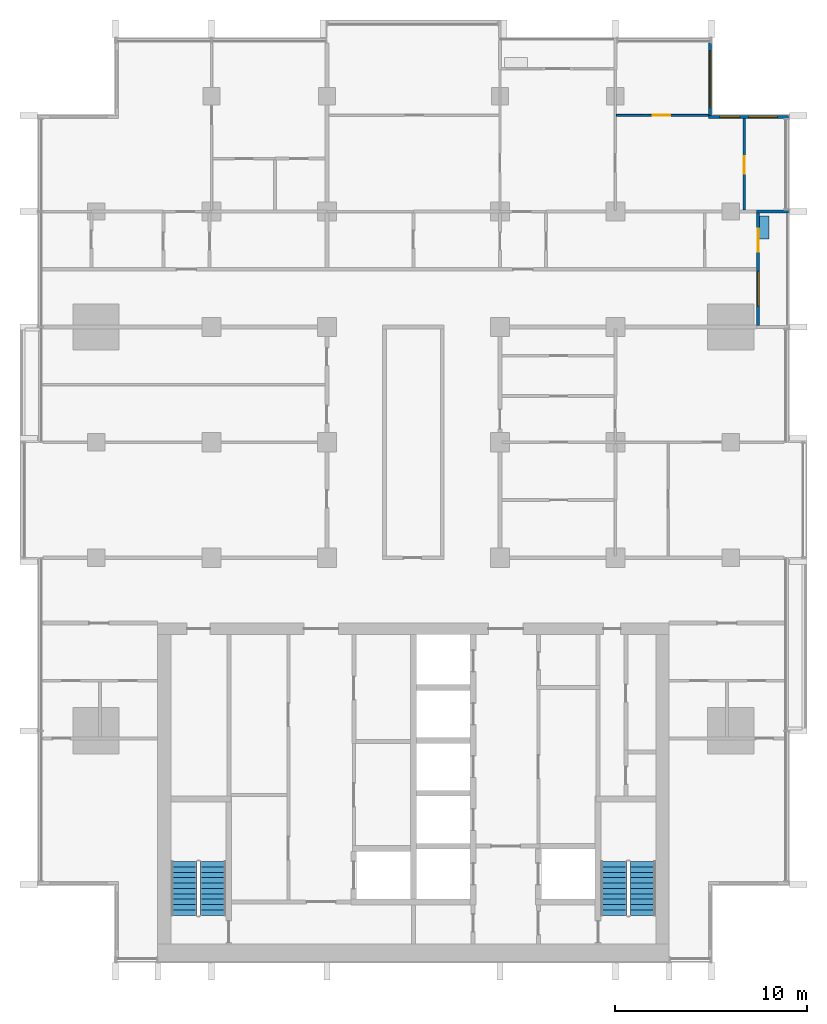
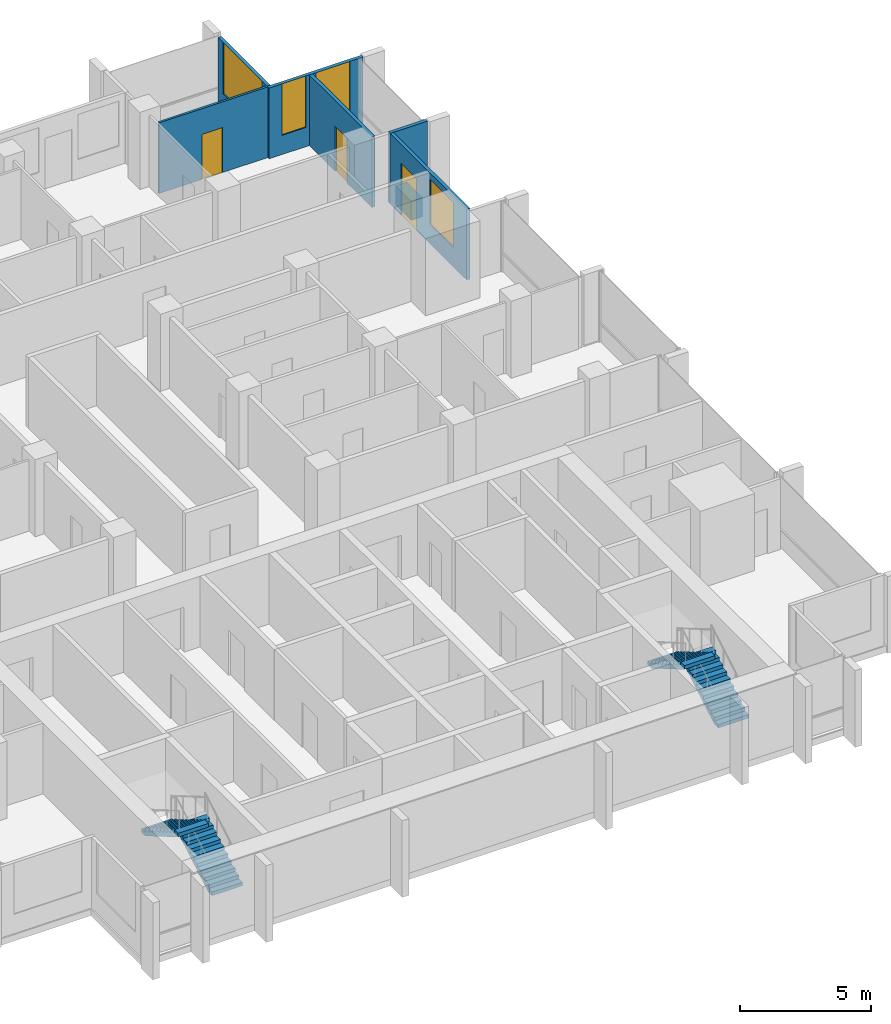
# One storey, part 11 of 16: 7 walls, 4 stair flights, 4 windows, 3 doors, 7 openings, 2 elements without a shape of their own.
"""IFC4 building model written with IfcOpenShell, lengths in metres."""

from ifc_helpers import new_model, si_unit, direction, frame, frame_2d, origin, place, context, subcontext, project, spatial, polyline, rectangle, outline, extrude, material, layer, layer_set, type_object, element, fill, aggregate, save


model = new_model("IFC4")

# Units and contexts
model_context = context("Model", 3, precision=1e-05, world=origin(), true_north=direction((0.0, 1.0)))
body_context = subcontext(model_context, "Body", "Model", "MODEL_VIEW")
ifc_project = project(units=[si_unit("LENGTHUNIT", "METRE"), si_unit("AREAUNIT", "SQUARE_METRE"), si_unit("VOLUMEUNIT", "CUBIC_METRE"), si_unit("PLANEANGLEUNIT", "RADIAN"), si_unit("MASSUNIT", "GRAM", prefix="KILO")], contexts=[model_context])

# Site, building, storey
site_placement = place(None, origin())
site = spatial("IfcSite", under=ifc_project, at=site_placement, CompositionType="ELEMENT")
building_placement = place(site_placement, origin())
building = spatial("IfcBuilding", under=site, at=building_placement, Name="Finial Court Residences", CompositionType="ELEMENT")
storey_placement = place(building_placement, frame((0.0, 0.0, 156.5)))
storey = spatial("IfcBuildingStorey", under=building, at=storey_placement, Name="L38", CompositionType="ELEMENT", Elevation=156.5)

# Wall, opening, door
ifc_material_1 = material(Name="Gypsum board")
ifc_layer_1 = layer(ifc_material_1, 0.012451171875)
ifc_material_2 = material(Name="Mineral wool in light-gauge frame")
ifc_layer_2 = layer(ifc_material_2, 0.074951171875)
ifc_layer_3 = layer(ifc_material_1, 0.012451171875)
ifc_layer_set_1 = layer_set([ifc_layer_1, ifc_layer_2, ifc_layer_3], Name="Gypsum board partition 100")
wall_type_1 = type_object("IfcWallType", Name="Gypsum board partition 100", PredefinedType="PARTITIONING", material=ifc_layer_set_1)
wall_1_placement = place(storey_placement, frame((10.550048828125, 18.5, 0.0), z_axis=(0.0, 0.0, 1.0), x_axis=(1.0, 0.0, 0.0)))
wall_1 = element("IfcWall", 1, at=wall_1_placement, inside=storey, type_object=wall_type_1, Name="Partition L38-031", PredefinedType="PARTITIONING", context=body_context, shape_type="SweptSolid", body=[
    extrude(rectangle(XDim=4.800048828125, YDim=0.10009765625, at=frame_2d((2.39990234375, 0.0))), origin(), (0.0, 0.0, 1.0), 3.300048828125),
])
opening_1_placement = place(wall_1_placement, frame((1.89990234375, 0.0, 0.0)))
opening_1 = element("IfcOpeningElement", 2, at=opening_1_placement, cuts=wall_1, Name="Opening L38-D022", PredefinedType="OPENING", context=body_context, shape_type="SweptSolid", body=[
    extrude(rectangle(XDim=0.89990234375, YDim=2.10009765625, at=frame_2d((0.449951171875, 1.050048828125))), frame((0.0, 0.06005859375, 0.0), z_axis=(0.0, -1.0, 0.0), x_axis=(1.0, 0.0, 0.0)), (0.0, 0.0, 1.0), 0.1201171875),
])
ifc_material_3 = material(Name="Timber door leaf in timber frame", Category="wood")
door_type_1 = type_object("IfcDoorType", Name="Door set 900 x 2100", OperationType="SINGLE_SWING_LEFT", PredefinedType="DOOR", material=ifc_material_3)
door_1_placement = place(opening_1_placement, origin())
door_1 = element("IfcDoor", 3, at=door_1_placement, inside=storey, type_object=door_type_1, Name="Door L38-D022", OperationType="SINGLE_SWING_LEFT", OverallHeight=2.10009765625, OverallWidth=0.89990234375, PredefinedType="DOOR", context=body_context, shape_type="SweptSolid", body=[
    extrude(rectangle(XDim=0.89990234375, YDim=2.10009765625, at=frame_2d((0.449951171875, 1.050048828125))), frame((0.0, 0.02490234375, 0.0), z_axis=(0.0, -1.0, 0.0), x_axis=(1.0, 0.0, 0.0)), (0.0, 0.0, 1.0), 0.050048828125),
])
fill(opening_1, door_1)

ifc_material_4 = material(Name="Moisture-resistant gypsum board")
ifc_layer_4 = layer(ifc_material_4, 0.012451171875)
ifc_layer_5 = layer(ifc_material_2, 0.125)
ifc_layer_6 = layer(ifc_material_4, 0.012451171875)
ifc_layer_set_2 = layer_set([ifc_layer_4, ifc_layer_5, ifc_layer_6], Name="Gypsum board wet-area partition 150")
wall_type_2 = type_object("IfcWallType", Name="Gypsum board wet-area partition 150", PredefinedType="PARTITIONING", material=ifc_layer_set_2)
wall_2_placement = place(storey_placement, frame((17.199951171875, 13.574951171875, 0.0), z_axis=(0.0, 0.0, 1.0), x_axis=(0.0, 1.0, 0.0)))
wall_2 = element("IfcWall", 4, at=wall_2_placement, inside=storey, type_object=wall_type_2, Name="Partition L38-056", PredefinedType="PARTITIONING", context=body_context, shape_type="SweptSolid", body=[
    extrude(rectangle(XDim=4.775146484375, YDim=0.14990234375, at=frame_2d((2.3876953125, 0.0))), origin(), (0.0, 0.0, 1.0), 3.300048828125),
])
opening_2_placement = place(wall_2_placement, frame((1.89990234375, 0.0, 0.0)))
opening_2 = element("IfcOpeningElement", 5, at=opening_2_placement, cuts=wall_2, Name="Opening L38-D039", PredefinedType="OPENING", context=body_context, shape_type="SweptSolid", body=[
    extrude(rectangle(XDim=0.89990234375, YDim=2.10009765625, at=frame_2d((0.449951171875, 1.050048828125))), frame((0.0, 0.0849609375, 0.0), z_axis=(0.0, -1.0, 0.0), x_axis=(1.0, 0.0, 0.0)), (0.0, 0.0, 1.0), 0.169921875),
])
door_2_placement = place(opening_2_placement, origin())
door_2 = element("IfcDoor", 6, at=door_2_placement, inside=storey, type_object=door_type_1, Name="Door L38-D039", OperationType="SINGLE_SWING_LEFT", OverallHeight=2.10009765625, OverallWidth=0.89990234375, PredefinedType="DOOR", context=body_context, shape_type="SweptSolid", body=[
    extrude(rectangle(XDim=0.89990234375, YDim=2.10009765625, at=frame_2d((0.449951171875, 1.050048828125))), frame((0.0, 0.02490234375, 0.0), z_axis=(0.0, -1.0, 0.0), x_axis=(1.0, 0.0, 0.0)), (0.0, 0.0, 1.0), 0.050048828125),
])
fill(opening_2, door_2)

# Wall, opening, window
ifc_material_5 = material(Name="Natural limestone", Category="masonry")
ifc_layer_7 = layer(ifc_material_5, 0.14990234375)
ifc_layer_set_3 = layer_set([ifc_layer_7], Name="Limestone clad wall 150")
wall_type_3 = type_object("IfcWallType", Name="Limestone clad wall 150", PredefinedType="SOLIDWALL", material=ifc_layer_set_3)
wall_3_placement = place(storey_placement, frame((15.425048828125, 22.262451171875, 0.0), z_axis=(0.0, 0.0, 1.0), x_axis=(0.0, -1.0, 0.0)))
wall_3 = element("IfcWall", 7, at=wall_3_placement, inside=storey, type_object=wall_type_3, Name="E-L38-NWE19", PredefinedType="SOLIDWALL", context=body_context, shape_type="SweptSolid", body=[
    extrude(rectangle(XDim=3.762451171875, YDim=0.14990234375, at=frame_2d((1.88134765625, 0.0))), origin(), (0.0, 0.0, 1.0), 3.300048828125),
])
opening_3_placement = place(wall_3_placement, frame((0.401123046875, 0.0, 0.89990234375)))
opening_3 = element("IfcOpeningElement", 8, at=opening_3_placement, cuts=wall_3, Name="Opening WE38-07", PredefinedType="OPENING", context=body_context, shape_type="SweptSolid", body=[
    extrude(rectangle(XDim=2.9599609375, YDim=2.39990234375, at=frame_2d((1.47998046875, 1.199951171875))), frame((0.0, 0.0849609375, 0.0), z_axis=(0.0, -1.0, 0.0), x_axis=(1.0, 0.0, 0.0)), (0.0, 0.0, 1.0), 0.169921875),
])
ifc_material_6 = material(Name="Clear low-e glass", Category="glass")
window_type_1 = type_object("IfcWindowType", Name="Corner window 2960 x 2400", PartitioningType="SINGLE_PANEL", PredefinedType="WINDOW", material=ifc_material_6)
window_1_placement = place(opening_3_placement, origin())
window_1 = element("IfcWindow", 9, at=window_1_placement, inside=storey, type_object=window_type_1, Name="E-L38-NWE19-W1", OverallHeight=2.39990234375, OverallWidth=2.9599609375, PartitioningType="SINGLE_PANEL", PredefinedType="WINDOW", context=body_context, shape_type="SweptSolid", body=[
    extrude(rectangle(XDim=2.9599609375, YDim=2.39990234375, at=frame_2d((1.47998046875, 1.199951171875))), frame((0.0, 0.030029296875, 0.0), z_axis=(0.0, -1.0, 0.0), x_axis=(1.0, 0.0, 0.0)), (0.0, 0.0, 1.0), 0.06005859375),
])
fill(opening_3, window_1)

# Wall, openings, windows
wall_4_placement = place(storey_placement, frame((15.35009765625, 18.425048828125, 0.0), z_axis=(0.0, 0.0, 1.0), x_axis=(1.0, 0.0, 0.0)))
wall_4 = element("IfcWall", 10, at=wall_4_placement, inside=storey, type_object=wall_type_3, Name="E-L38-NWN20", PredefinedType="SOLIDWALL", context=body_context, shape_type="SweptSolid", body=[
    extrude(rectangle(XDim=4.14990234375, YDim=0.14990234375, at=frame_2d((2.074951171875, 0.0))), origin(), (0.0, 0.0, 1.0), 3.300048828125),
])
opening_4_placement = place(wall_4_placement, frame((0.574951171875, 0.0, 0.89990234375)))
opening_4 = element("IfcOpeningElement", 11, at=opening_4_placement, cuts=wall_4, Name="Opening WE38-08", PredefinedType="OPENING", context=body_context, shape_type="SweptSolid", body=[
    extrude(rectangle(XDim=1.050048828125, YDim=2.39990234375, at=frame_2d((0.52490234375, 1.199951171875))), frame((0.0, 0.0849609375, 0.0), z_axis=(0.0, -1.0, 0.0), x_axis=(1.0, 0.0, 0.0)), (0.0, 0.0, 1.0), 0.169921875),
])
opening_5_placement = place(wall_4_placement, frame((2.074951171875, 0.0, 0.89990234375)))
opening_5 = element("IfcOpeningElement", 12, at=opening_5_placement, cuts=wall_4, Name="Opening WE38-09", PredefinedType="OPENING", context=body_context, shape_type="SweptSolid", body=[
    extrude(rectangle(XDim=1.5, YDim=2.39990234375, at=frame_2d((0.75, 1.199951171875))), frame((0.0, 0.0849609375, 0.0), z_axis=(0.0, -1.0, 0.0), x_axis=(1.0, 0.0, 0.0)), (0.0, 0.0, 1.0), 0.169921875),
])
window_type_2 = type_object("IfcWindowType", Name="Corner window 1050 x 2400", PartitioningType="SINGLE_PANEL", PredefinedType="WINDOW", material=ifc_material_6)
window_2_placement = place(opening_4_placement, origin())
window_2 = element("IfcWindow", 13, at=window_2_placement, inside=storey, type_object=window_type_2, Name="E-L38-NWN20-W1", OverallHeight=2.39990234375, OverallWidth=1.050048828125, PartitioningType="SINGLE_PANEL", PredefinedType="WINDOW", context=body_context, shape_type="SweptSolid", body=[
    extrude(rectangle(XDim=1.050048828125, YDim=2.39990234375, at=frame_2d((0.52490234375, 1.199951171875))), frame((0.0, 0.030029296875, 0.0), z_axis=(0.0, -1.0, 0.0), x_axis=(1.0, 0.0, 0.0)), (0.0, 0.0, 1.0), 0.06005859375),
])
fill(opening_4, window_2)
window_type_3 = type_object("IfcWindowType", Name="Corner window 1500 x 2400", PartitioningType="SINGLE_PANEL", PredefinedType="WINDOW", material=ifc_material_6)
window_3_placement = place(opening_5_placement, origin())
window_3 = element("IfcWindow", 14, at=window_3_placement, inside=storey, type_object=window_type_3, Name="E-L38-NWN20-W2", OverallHeight=2.39990234375, OverallWidth=1.5, PartitioningType="SINGLE_PANEL", PredefinedType="WINDOW", context=body_context, shape_type="SweptSolid", body=[
    extrude(rectangle(XDim=1.5, YDim=2.39990234375, at=frame_2d((0.75, 1.199951171875))), frame((0.0, 0.030029296875, 0.0), z_axis=(0.0, -1.0, 0.0), x_axis=(1.0, 0.0, 0.0)), (0.0, 0.0, 1.0), 0.06005859375),
])
fill(opening_5, window_3)

# Wall
wall_5_placement = place(storey_placement, frame((17.85009765625, 13.5, 0.0), z_axis=(0.0, 0.0, 1.0), x_axis=(1.0, 0.0, 0.0)))
element("IfcWall", 15, at=wall_5_placement, inside=storey, type_object=wall_type_3, Name="E-L38-BALE5-P2", PredefinedType="SOLIDWALL", context=body_context, shape_type="SweptSolid", body=[
    extrude(rectangle(XDim=1.64990234375, YDim=0.14990234375, at=frame_2d((0.824951171875, 0.0))), origin(), (0.0, 0.0, 1.0), 3.300048828125),
])

# Wall, openings, door, window
wall_6_placement = place(storey_placement, frame((17.925048828125, 13.425048828125, 0.0), z_axis=(0.0, 0.0, 1.0), x_axis=(0.0, -1.0, 0.0)))
wall_6 = element("IfcWall", 16, at=wall_6_placement, inside=storey, type_object=wall_type_3, Name="E-L38-L38-BALE5-W", PredefinedType="SOLIDWALL", context=body_context, shape_type="SweptSolid", body=[
    extrude(rectangle(XDim=5.85009765625, YDim=0.14990234375, at=frame_2d((2.925048828125, 0.0))), origin(), (0.0, 0.0, 1.0), 3.300048828125),
])
opening_6_placement = place(wall_6_placement, frame((0.824951171875, 0.0, 0.0)))
opening_6 = element("IfcOpeningElement", 17, at=opening_6_placement, cuts=wall_6, Name="Opening DE38-02", PredefinedType="OPENING", context=body_context, shape_type="SweptSolid", body=[
    extrude(rectangle(XDim=1.199951171875, YDim=2.39990234375, at=frame_2d((0.60009765625, 1.199951171875))), frame((0.0, 0.0849609375, 0.0), z_axis=(0.0, -1.0, 0.0), x_axis=(1.0, 0.0, 0.0)), (0.0, 0.0, 1.0), 0.169921875),
])
opening_7_placement = place(wall_6_placement, frame((3.03759765625, 0.0, 0.89990234375)))
opening_7 = element("IfcOpeningElement", 18, at=opening_7_placement, cuts=wall_6, Name="Opening WE38-12", PredefinedType="OPENING", context=body_context, shape_type="SweptSolid", body=[
    extrude(rectangle(XDim=1.800048828125, YDim=2.10009765625, at=frame_2d((0.89990234375, 1.050048828125))), frame((0.0, 0.0849609375, 0.0), z_axis=(0.0, -1.0, 0.0), x_axis=(1.0, 0.0, 0.0)), (0.0, 0.0, 1.0), 0.169921875),
])
ifc_material_7 = material(Name="Bronze anodised aluminium", Category="aluminium")
door_type_2 = type_object("IfcDoorType", Name="Balcony door 1200 x 2400", OperationType="SINGLE_SWING_LEFT", PredefinedType="DOOR", material=ifc_material_7)
door_3_placement = place(opening_6_placement, origin())
door_3 = element("IfcDoor", 19, at=door_3_placement, inside=storey, type_object=door_type_2, Name="E-L38-L38-BALE5-W-D", OperationType="SINGLE_SWING_RIGHT", OverallHeight=2.39990234375, OverallWidth=1.199951171875, PredefinedType="DOOR", context=body_context, shape_type="SweptSolid", body=[
    extrude(rectangle(XDim=1.199951171875, YDim=2.39990234375, at=frame_2d((0.60009765625, 1.199951171875))), frame((0.0, 0.02490234375, 0.0), z_axis=(0.0, -1.0, 0.0), x_axis=(1.0, 0.0, 0.0)), (0.0, 0.0, 1.0), 0.050048828125),
])
fill(opening_6, door_3)
window_type_4 = type_object("IfcWindowType", Name="Balcony window 1800 x 2100", PartitioningType="SINGLE_PANEL", PredefinedType="WINDOW", material=ifc_material_6)
window_4_placement = place(opening_7_placement, origin())
window_4 = element("IfcWindow", 20, at=window_4_placement, inside=storey, type_object=window_type_4, Name="E-L38-L38-BALE5-W-W1", OverallHeight=2.10009765625, OverallWidth=1.800048828125, PartitioningType="SINGLE_PANEL", PredefinedType="WINDOW", context=body_context, shape_type="SweptSolid", body=[
    extrude(rectangle(XDim=1.800048828125, YDim=2.10009765625, at=frame_2d((0.89990234375, 1.050048828125))), frame((0.0, 0.030029296875, 0.0), z_axis=(0.0, -1.0, 0.0), x_axis=(1.0, 0.0, 0.0)), (0.0, 0.0, 1.0), 0.06005859375),
])
fill(opening_7, window_4)

# Wall
ifc_material_8 = material(Name="Concrete C40/50", Category="concrete")
ifc_layer_8 = layer(ifc_material_8, 0.10009765625)
ifc_material_9 = material(Name="Planting soil", Category="soil")
ifc_layer_9 = layer(ifc_material_9, 0.300048828125)
ifc_layer_10 = layer(ifc_material_8, 0.10009765625)
ifc_layer_set_4 = layer_set([ifc_layer_8, ifc_layer_9, ifc_layer_10], Name="Planter wall, balcony")
wall_type_4 = type_object("IfcWallType", Name="Planter wall, balcony", PredefinedType="USERDEFINED", material=ifc_layer_set_4)
wall_7_placement = place(storey_placement, frame((18.25, 12.074951171875, 0.0), z_axis=(0.0, 0.0, 1.0), x_axis=(0.0, 1.0, 0.0)))
element("IfcWall", 21, at=wall_7_placement, inside=storey, type_object=wall_type_4, Name="E-L38-BALE5-PL", ObjectType="PLANTER", PredefinedType="USERDEFINED", context=body_context, shape_type="SweptSolid", body=[
    extrude(rectangle(XDim=1.199951171875, YDim=0.5, at=frame_2d((0.60009765625, 0.0))), origin(), (0.0, 0.0, 1.0), 0.89990234375),
])

# Stair, stair flights
ifc_material_10 = material(Name="Concrete C50/60", Category="concrete")
stair_type = type_object("IfcStairType", Name="Exit stair 22 risers of 163.6 mm", PredefinedType="HALF_TURN_STAIR", material=ifc_material_10)
stair_1_placement = place(storey_placement, origin())
stair_1 = element("IfcStair", 22, at=stair_1_placement, inside=storey, type_object=stair_type, Name="L38 Exit stair ST-1", PredefinedType="HALF_TURN_STAIR")
stair_flight_type = type_object("IfcStairFlightType", Name="Exit stair flight", PredefinedType="STRAIGHT", material=ifc_material_10)
stair_flight_1_placement = place(storey_placement, frame((-10.425048828125, -23.10009765625, 0.0), z_axis=(0.0, 0.0, 1.0), x_axis=(0.0, 1.0, 0.0)))
stair_flight_1 = element("IfcStairFlight", 23, at=stair_flight_1_placement, type_object=stair_flight_type, Name="ST-1 flight 1", NumberOfRisers=11, NumberOfTreads=10, PredefinedType="STRAIGHT", RiserHeight=0.163636364, TreadLength=0.28, context=body_context, shape_type="SweptSolid", body=[
    extrude(outline(polyline([(0.0, 0.0), (0.0, 0.16357421875), (0.280029296875, 0.16357421875), (0.280029296875, 0.327392578125), (0.56005859375, 0.327392578125), (0.56005859375, 0.490966796875), (0.840087890625, 0.490966796875), (0.840087890625, 0.654541015625), (1.1201171875, 0.654541015625), (1.1201171875, 0.818115234375), (1.39990234375, 0.818115234375), (1.39990234375, 0.98193359375), (1.679931640625, 0.98193359375), (1.679931640625, 1.1455078125), (1.9599609375, 1.1455078125), (1.9599609375, 1.30908203125), (2.239990234375, 1.30908203125), (2.239990234375, 1.47265625), (2.52001953125, 1.47265625), (2.52001953125, 1.636474609375), (2.800048828125, 1.636474609375), (2.800048828125, 1.800048828125), (2.800048828125, 1.462646484375), (0.297119140625, 0.0), (0.0, 0.0)])), frame((0.0, 0.675048828125, 0.0), z_axis=(0.0, -1.0, 0.0), x_axis=(1.0, 0.0, 0.0)), (0.0, 0.0, 1.0), 1.35009765625),
])
stair_flight_2_placement = place(storey_placement, frame((-11.925048828125, -20.300048828125, 1.800048828125), z_axis=(0.0, 0.0, 1.0), x_axis=(0.0, -1.0, 0.0)))
stair_flight_2 = element("IfcStairFlight", 24, at=stair_flight_2_placement, type_object=stair_flight_type, Name="ST-1 flight 2", NumberOfRisers=11, NumberOfTreads=10, PredefinedType="STRAIGHT", RiserHeight=0.163636364, TreadLength=0.28, context=body_context, shape_type="SweptSolid", body=[
    extrude(outline(polyline([(0.0, 0.0), (0.0, 0.16357421875), (0.280029296875, 0.16357421875), (0.280029296875, 0.327392578125), (0.56005859375, 0.327392578125), (0.56005859375, 0.490966796875), (0.840087890625, 0.490966796875), (0.840087890625, 0.654541015625), (1.1201171875, 0.654541015625), (1.1201171875, 0.818115234375), (1.39990234375, 0.818115234375), (1.39990234375, 0.98193359375), (1.679931640625, 0.98193359375), (1.679931640625, 1.1455078125), (1.9599609375, 1.1455078125), (1.9599609375, 1.30908203125), (2.239990234375, 1.30908203125), (2.239990234375, 1.47265625), (2.52001953125, 1.47265625), (2.52001953125, 1.636474609375), (2.800048828125, 1.636474609375), (2.800048828125, 1.800048828125), (2.800048828125, 1.462646484375), (0.297119140625, 0.0), (0.0, 0.0)])), frame((0.0, 0.675048828125, 0.0), z_axis=(0.0, -1.0, 0.0), x_axis=(1.0, 0.0, 0.0)), (0.0, 0.0, 1.0), 1.35009765625),
])
aggregate(stair_1, [stair_flight_1, stair_flight_2])

stair_2_placement = place(storey_placement, origin())
stair_2 = element("IfcStair", 25, at=stair_2_placement, inside=storey, type_object=stair_type, Name="L38 Exit stair ST-2", PredefinedType="HALF_TURN_STAIR")
stair_flight_3_placement = place(storey_placement, frame((11.925048828125, -23.10009765625, 0.0), z_axis=(0.0, 0.0, 1.0), x_axis=(0.0, 1.0, 0.0)))
stair_flight_3 = element("IfcStairFlight", 26, at=stair_flight_3_placement, type_object=stair_flight_type, Name="ST-2 flight 1", NumberOfRisers=11, NumberOfTreads=10, PredefinedType="STRAIGHT", RiserHeight=0.163636364, TreadLength=0.28, context=body_context, shape_type="SweptSolid", body=[
    extrude(outline(polyline([(0.0, 0.0), (0.0, 0.16357421875), (0.280029296875, 0.16357421875), (0.280029296875, 0.327392578125), (0.56005859375, 0.327392578125), (0.56005859375, 0.490966796875), (0.840087890625, 0.490966796875), (0.840087890625, 0.654541015625), (1.1201171875, 0.654541015625), (1.1201171875, 0.818115234375), (1.39990234375, 0.818115234375), (1.39990234375, 0.98193359375), (1.679931640625, 0.98193359375), (1.679931640625, 1.1455078125), (1.9599609375, 1.1455078125), (1.9599609375, 1.30908203125), (2.239990234375, 1.30908203125), (2.239990234375, 1.47265625), (2.52001953125, 1.47265625), (2.52001953125, 1.636474609375), (2.800048828125, 1.636474609375), (2.800048828125, 1.800048828125), (2.800048828125, 1.462646484375), (0.297119140625, 0.0), (0.0, 0.0)])), frame((0.0, 0.675048828125, 0.0), z_axis=(0.0, -1.0, 0.0), x_axis=(1.0, 0.0, 0.0)), (0.0, 0.0, 1.0), 1.35009765625),
])
stair_flight_4_placement = place(storey_placement, frame((10.425048828125, -20.300048828125, 1.800048828125), z_axis=(0.0, 0.0, 1.0), x_axis=(0.0, -1.0, 0.0)))
stair_flight_4 = element("IfcStairFlight", 27, at=stair_flight_4_placement, type_object=stair_flight_type, Name="ST-2 flight 2", NumberOfRisers=11, NumberOfTreads=10, PredefinedType="STRAIGHT", RiserHeight=0.163636364, TreadLength=0.28, context=body_context, shape_type="SweptSolid", body=[
    extrude(outline(polyline([(0.0, 0.0), (0.0, 0.16357421875), (0.280029296875, 0.16357421875), (0.280029296875, 0.327392578125), (0.56005859375, 0.327392578125), (0.56005859375, 0.490966796875), (0.840087890625, 0.490966796875), (0.840087890625, 0.654541015625), (1.1201171875, 0.654541015625), (1.1201171875, 0.818115234375), (1.39990234375, 0.818115234375), (1.39990234375, 0.98193359375), (1.679931640625, 0.98193359375), (1.679931640625, 1.1455078125), (1.9599609375, 1.1455078125), (1.9599609375, 1.30908203125), (2.239990234375, 1.30908203125), (2.239990234375, 1.47265625), (2.52001953125, 1.47265625), (2.52001953125, 1.636474609375), (2.800048828125, 1.636474609375), (2.800048828125, 1.800048828125), (2.800048828125, 1.462646484375), (0.297119140625, 0.0), (0.0, 0.0)])), frame((0.0, 0.675048828125, 0.0), z_axis=(0.0, -1.0, 0.0), x_axis=(1.0, 0.0, 0.0)), (0.0, 0.0, 1.0), 1.35009765625),
])
aggregate(stair_2, [stair_flight_3, stair_flight_4])

save(model, "model.ifc")
